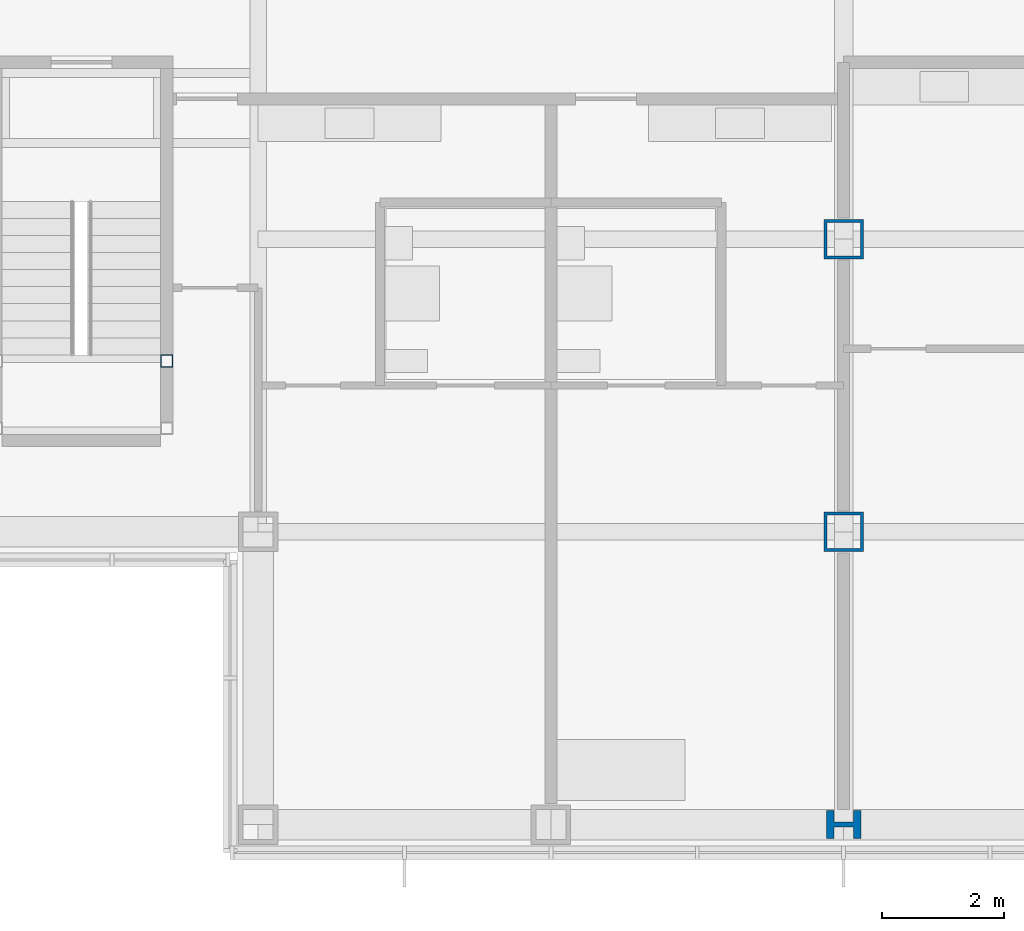
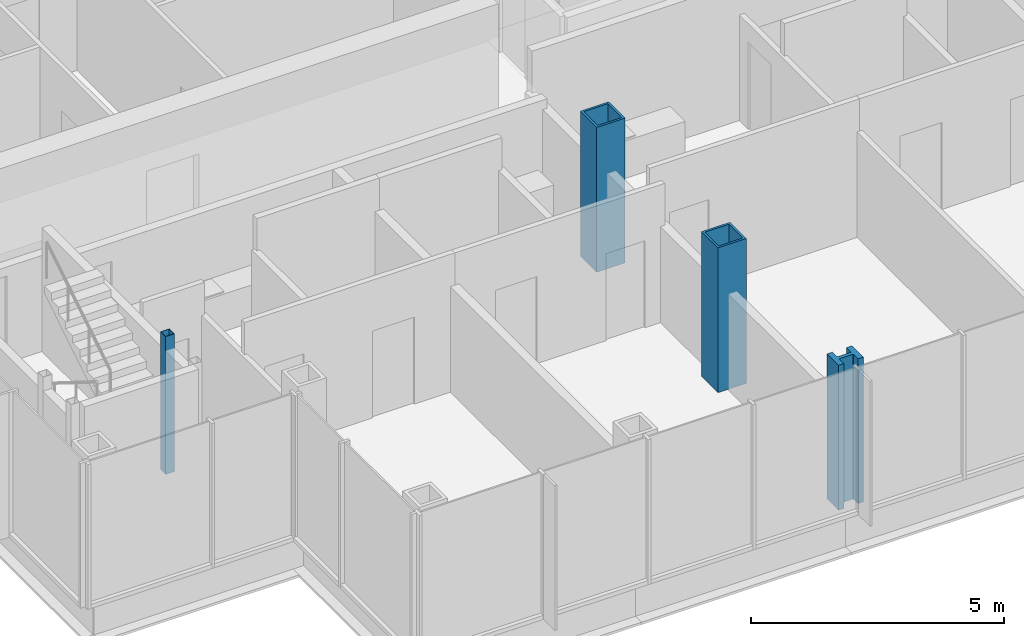
# One storey, part 2 of 20: 4 columns.
"""IFC4 building model written with IfcOpenShell, lengths in metres."""

from ifc_helpers import new_model, si_unit, direction, frame, origin, origin_2d, place, context, subcontext, project, spatial, hollow_rectangle, i_section, extrude, material, material_profile, profile_set, type_object, element, save


model = new_model("IFC4")

# Units and contexts
model_context = context("Model", 3, precision=1e-05, world=origin(), true_north=direction((0.0, 1.0)))
body_context = subcontext(model_context, "Body", "Model", "MODEL_VIEW")
ifc_project = project(units=[si_unit("LENGTHUNIT", "METRE"), si_unit("AREAUNIT", "SQUARE_METRE"), si_unit("VOLUMEUNIT", "CUBIC_METRE"), si_unit("PLANEANGLEUNIT", "RADIAN"), si_unit("MASSUNIT", "GRAM", prefix="KILO")], contexts=[model_context])

# Site, building, storey
site_placement = place(None, origin())
site = spatial("IfcSite", under=ifc_project, at=site_placement, CompositionType="ELEMENT")
building_placement = place(site_placement, origin())
building = spatial("IfcBuilding", under=site, at=building_placement, Name="Kvirike Care Tower", CompositionType="ELEMENT")
storey_placement = place(building_placement, frame((0.0, 0.0, 101.5)))
storey = spatial("IfcBuildingStorey", under=building, at=storey_placement, Name="L27", CompositionType="ELEMENT", Elevation=101.5)

# Columns
ifc_material_1 = material(Name="Steel S460", Category="steel")
ifc_material_profile_1 = material_profile(ifc_material_1, hollow_rectangle(XDim=0.64990234375, YDim=0.64990234375, WallThickness=0.050048828125, at=origin_2d()), Name="BX 650x650x50")
ifc_profile_set_1 = profile_set([ifc_material_profile_1], Name="Steel S460")
column_type_1 = type_object("IfcColumnType", Name="COLUMN BX 650x650x50", PredefinedType="COLUMN", material=ifc_profile_set_1)
for number, where, z_axis, x_axis, name in (
    (1, (28.800048828125, 19.199951171875, 0.0), (0.0, 0.0, 1.0), (1.0, 0.0, 0.0), "Column E9 L27"),
    (2, (28.800048828125, 24.0, 0.0), (0.0, 0.0, 1.0), (1.0, 0.0, 0.0), "Column F9 L27"),
):
    element("IfcColumn", number, at=place(storey_placement, frame(where, z_axis=z_axis, x_axis=x_axis)), inside=storey, type_object=column_type_1, Name=name, PredefinedType="COLUMN", context=body_context, shape_type="SweptSolid", body=[
        extrude(hollow_rectangle(XDim=0.64990234375, YDim=0.64990234375, WallThickness=0.050048828125, at=origin_2d()), origin(), (0.0, 0.0, 1.0), 3.5),
    ])
ifc_material_2 = material(Name="Steel S460", Category="steel")
ifc_material_profile_2 = material_profile(ifc_material_2, i_section(OverallWidth=0.4541015625, OverallDepth=0.569091796875, WebThickness=0.077880859375, FlangeThickness=0.125, FilletRadius=0.014892578125, at=origin_2d()), Name="HD 400x1086")
ifc_profile_set_2 = profile_set([ifc_material_profile_2], Name="Steel S460")
column_type_2 = type_object("IfcColumnType", Name="COLUMN HD 400x1086", PredefinedType="COLUMN", material=ifc_profile_set_2)
column_1_placement = place(storey_placement, frame((28.800048828125, 14.39990234375, 0.0), z_axis=(0.0, 0.0, 1.0), x_axis=(0.0, 1.0, 0.0)))
element("IfcColumn", 3, at=column_1_placement, inside=storey, type_object=column_type_2, Name="Column D9 L27", PredefinedType="COLUMN", context=body_context, shape_type="SweptSolid", body=[
    extrude(i_section(OverallWidth=0.4541015625, OverallDepth=0.569091796875, WebThickness=0.077880859375, FlangeThickness=0.125, FilletRadius=0.014892578125, at=origin_2d()), origin(), (0.0, 0.0, 1.0), 3.5),
])
ifc_material_3 = material(Name="Steel S460", Category="steel")
ifc_material_profile_3 = material_profile(ifc_material_3, hollow_rectangle(XDim=0.199951171875, YDim=0.199951171875, WallThickness=0.008056640625, at=origin_2d()), Name="SHS 200x200x8")
ifc_profile_set_3 = profile_set([ifc_material_profile_3], Name="Steel S460")
column_type_3 = type_object("IfcColumnType", Name="STAIR POST SHS 200x200x8", PredefinedType="COLUMN", material=ifc_profile_set_3)
column_2_placement = place(storey_placement, frame((17.699951171875, 22.0, 0.0), z_axis=(0.0, 0.0, 1.0), x_axis=(1.0, 0.0, 0.0)))
element("IfcColumn", 4, at=column_2_placement, inside=storey, type_object=column_type_3, Name="Stair 5 post 4 L27", PredefinedType="COLUMN", context=body_context, shape_type="SweptSolid", body=[
    extrude(hollow_rectangle(XDim=0.199951171875, YDim=0.199951171875, WallThickness=0.008056640625, at=origin_2d()), origin(), (0.0, 0.0, 1.0), 3.330078125),
])

save(model, "model.ifc")
